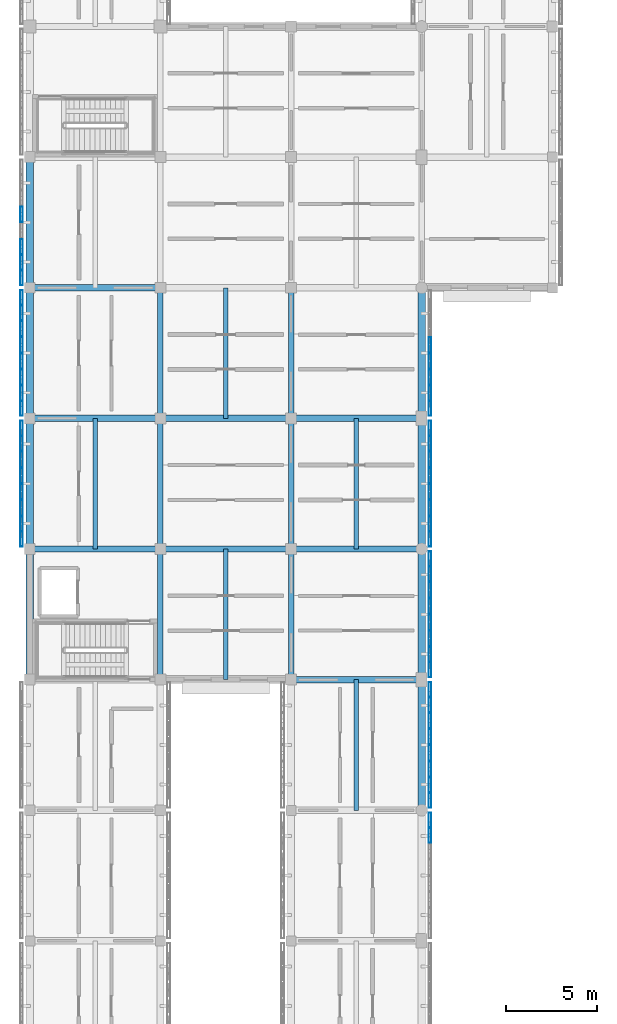
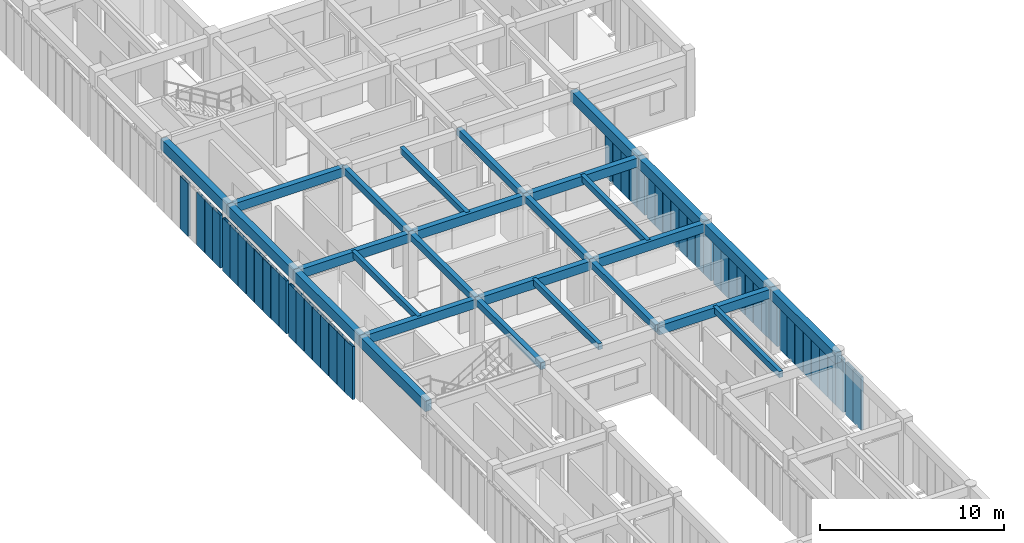
# One storey, part 9 of 171: 51 members, 27 beams, 8 elements without a shape of their own.
"""IFC4 building model written with IfcOpenShell, lengths in metres."""

import ifcopenshell
import ifcopenshell.guid

model = None  # the IFC model being written
_history = None  # IfcOwnerHistory: only IFC2X3 demands one
_inside = {}  # id of a spatial element -> (the spatial element, [elements in it])
_under = {}  # id of a project, library or spatial element -> (it, [spatial elements below it])
_declared = {}  # id of a project -> (the project, [libraries it declares])
_typed = {}  # id of a type object -> (the type object, [elements of that type])
_made_of = {}  # id of a material, layer set ... -> (it, [elements and type objects made of it])


def new_model(schema):
    """Start an empty IFC model of exactly this schema.

    Asked for "IFC4X3", IfcOpenShell would pick the latest addendum, in which some entities
    have other attributes; the version numbers below select the first issue.
    IFC2X3 requires an IfcOwnerHistory on every rooted entity: one is made here for all.
    """
    global model, _history
    if schema == "IFC4X3":
        model = ifcopenshell.file(schema_version=(4, 3, 0, 0))
    else:
        model = ifcopenshell.file(schema=schema)
    _inside.clear()
    _under.clear()
    _declared.clear()
    _typed.clear()
    _made_of.clear()
    _history = None
    if model.schema == "IFC2X3":
        org = make("IfcOrganization", Name="unknown")
        user = make(
            "IfcPersonAndOrganization",
            ThePerson=make("IfcPerson", FamilyName="unknown"),
            TheOrganization=org,
        )
        app = make(
            "IfcApplication",
            ApplicationDeveloper=org,
            Version="unknown",
            ApplicationFullName="unknown",
            ApplicationIdentifier="unknown",
        )
        _history = make(
            "IfcOwnerHistory",
            OwningUser=user,
            OwningApplication=app,
            ChangeAction="ADDED",
            CreationDate=0,
        )
    return model


def make(cls, **values):
    """One entity of the class cls with the attributes given. An attribute that is None is left unset."""
    return model.create_entity(
        cls, **{name: value for name, value in values.items() if value is not None}
    )


def rooted(cls, **values):
    """An entity with a GlobalId (a new one), such as an element, a storey or a relation."""
    return make(cls, GlobalId=ifcopenshell.guid.new(), OwnerHistory=_history, **values)


def si_unit(unit_type, name, prefix=None):
    """IfcSIUnit, for example si_unit("LENGTHUNIT", "METRE", prefix="MILLI")."""
    return make("IfcSIUnit", UnitType=unit_type, Prefix=prefix, Name=name)


def assignment(units):
    """IfcUnitAssignment: the units of a project."""
    return None if units is None else make("IfcUnitAssignment", Units=units)


def point(xyz):
    """IfcCartesianPoint."""
    return None if xyz is None else make("IfcCartesianPoint", Coordinates=xyz)


def direction(xyz):
    """IfcDirection."""
    return None if xyz is None else make("IfcDirection", DirectionRatios=xyz)


def frame(location, z_axis=None, x_axis=None):
    """IfcAxis2Placement3D, a coordinate frame: its origin and axes. An axis left out is left unset."""
    return make(
        "IfcAxis2Placement3D",
        Location=point(location),
        Axis=direction(z_axis),
        RefDirection=direction(x_axis),
    )


def frame_2d(location, x_axis=None):
    """IfcAxis2Placement2D, a coordinate frame in the plane: its origin and x axis."""
    return make(
        "IfcAxis2Placement2D", Location=point(location), RefDirection=direction(x_axis)
    )


def origin():
    """The frame at (0, 0, 0) with its axes left unset."""
    return frame((0.0, 0.0, 0.0))


def origin_2d():
    """The frame at (0, 0) in the plane with its x axis left unset."""
    return frame_2d((0.0, 0.0))


def place(relative_to, where):
    """IfcLocalPlacement: puts the frame where relative to a parent placement (None: the world)."""
    return make(
        "IfcLocalPlacement", PlacementRelTo=relative_to, RelativePlacement=where
    )


def context(
    kind, dimensions, precision=None, world=None, true_north=None, identifier=None
):
    """IfcGeometricRepresentationContext, for example the 3D "Model" context."""
    return make(
        "IfcGeometricRepresentationContext",
        ContextIdentifier=identifier,
        ContextType=kind,
        CoordinateSpaceDimension=dimensions,
        Precision=precision,
        WorldCoordinateSystem=world,
        TrueNorth=true_north,
    )


def subcontext(parent, identifier, kind, view, scale=None):
    """IfcGeometricRepresentationSubContext, for example "Body" below "Model"."""
    return make(
        "IfcGeometricRepresentationSubContext",
        ContextIdentifier=identifier,
        ContextType=kind,
        ParentContext=parent,
        TargetScale=scale,
        TargetView=view,
    )


def project(units=None, contexts=None):
    """IfcProject with its units and contexts."""
    return rooted(
        "IfcProject",
        Name="project",
        RepresentationContexts=contexts,
        UnitsInContext=assignment(units),
    )


def spatial(cls, under=None, at=None, **own):
    """A site, building, storey or space (cls), placed at a placement, below another one or the project."""
    s = rooted(cls, ObjectPlacement=at, **own)
    if under is not None:
        _under.setdefault(under.id(), (under, []))[1].append(s)
    return s


def profile(cls, at=None, kind="AREA", **sizes):
    """A parametric profile (cls). Its sizes go by their IFC names, for example OverallWidth=200.0."""
    return make(cls, ProfileType=kind, Position=at, **sizes)


def rectangle(**sizes):
    """IfcRectangleProfileDef."""
    return profile("IfcRectangleProfileDef", **sizes)


def hollow_rectangle(**sizes):
    """IfcRectangleHollowProfileDef."""
    return profile("IfcRectangleHollowProfileDef", **sizes)


def extrude(swept, where, along, depth):
    """IfcExtrudedAreaSolid: the profile swept, set in the frame where, extruded along a direction by depth."""
    return make(
        "IfcExtrudedAreaSolid",
        SweptArea=swept,
        Position=where,
        ExtrudedDirection=direction(along),
        Depth=depth,
    )


def shape(context_of_items, identifier, shape_type, items):
    """IfcShapeRepresentation: the items that make up one representation, for example the "Body"."""
    return make(
        "IfcShapeRepresentation",
        ContextOfItems=context_of_items,
        RepresentationIdentifier=identifier,
        RepresentationType=shape_type,
        Items=items,
    )


def material(Name=None, Category=None):
    """IfcMaterial."""
    return make("IfcMaterial", Name=Name, Category=Category)


def material_profile(
    of_material, cross_section, Name=None, Category=None, Priority=None
):
    """IfcMaterialProfile: a cross section and its material."""
    return make(
        "IfcMaterialProfile",
        Name=Name,
        Material=of_material,
        Profile=cross_section,
        Priority=Priority,
        Category=Category,
    )


def profile_set(profiles, Name=None, composite=None):
    """IfcMaterialProfileSet."""
    return make(
        "IfcMaterialProfileSet",
        Name=Name,
        MaterialProfiles=profiles,
        CompositeProfile=composite,
    )


def made_of(thing, what):
    """Note that an element or type object is made of a material, layer set ...; save() writes the relation."""
    if what is not None:
        _made_of.setdefault(what.id(), (what, []))[1].append(thing)
    return thing


def type_object(cls, material=None, **own):
    """A type object (cls), such as IfcWallType, which elements share."""
    return made_of(rooted(cls, **own), material)


def element(
    cls,
    number,
    at=None,
    inside=None,
    cuts=None,
    type_object=None,
    material=None,
    context=None,
    identifier="Body",
    shape_type=None,
    held_by="IfcProductDefinitionShape",
    body=None,
    shapes=None,
    **own,
):
    """One element of the class cls, such as IfcWall. Its Tag is "e" and its number.

    at: its placement. inside: the storey or other place that contains it. cuts: it is an
    opening in that element (IfcRelVoidsElement). A single representation is given by context,
    identifier, shape_type and body (its items); several are given by shapes. held_by: the class
    of the entity that holds the representations. save() writes the other relations.
    """
    e = rooted(cls, Tag="e%d" % number, ObjectPlacement=at, **own)
    if body is not None:
        shapes = [shape(context, identifier, shape_type, body)]
    if shapes is not None:
        e.Representation = make(held_by, Representations=shapes)
    if inside is not None:
        _inside.setdefault(inside.id(), (inside, []))[1].append(e)
    if cuts is not None:
        rooted(
            "IfcRelVoidsElement", RelatingBuildingElement=cuts, RelatedOpeningElement=e
        )
    if type_object is not None:
        _typed.setdefault(type_object.id(), (type_object, []))[1].append(e)
    return made_of(e, material)


def aggregate(whole, parts):
    """IfcRelAggregates: a whole, such as a stair, and the parts it consists of."""
    return rooted("IfcRelAggregates", RelatingObject=whole, RelatedObjects=parts)


def save(model, path):
    """Write the relations noted so far, then the file.

    IfcRelAggregates (storeys below a building ...), IfcRelContainedInSpatialStructure (elements
    in a storey), IfcRelDefinesByType, IfcRelAssociatesMaterial and IfcRelDeclares: one each for
    every whole, place, type object, material and project.
    """
    for whole, parts in _under.values():
        aggregate(whole, parts)
    for where, things in _inside.values():
        rooted(
            "IfcRelContainedInSpatialStructure",
            RelatedElements=things,
            RelatingStructure=where,
        )
    for kind, things in _typed.values():
        rooted("IfcRelDefinesByType", RelatedObjects=things, RelatingType=kind)
    for what, things in _made_of.values():
        rooted("IfcRelAssociatesMaterial", RelatedObjects=things, RelatingMaterial=what)
    for by, libraries in _declared.values():
        rooted("IfcRelDeclares", RelatingContext=by, RelatedDefinitions=libraries)
    model.write(path)


model = new_model("IFC4")

# Units and contexts
model_context = context("Model", 3, precision=1e-05, world=origin(), true_north=direction((0.0, 1.0)))
body_context = subcontext(model_context, "Body", "Model", "MODEL_VIEW")
ifc_project = project(units=[si_unit("LENGTHUNIT", "METRE"), si_unit("AREAUNIT", "SQUARE_METRE"), si_unit("VOLUMEUNIT", "CUBIC_METRE"), si_unit("PLANEANGLEUNIT", "RADIAN"), si_unit("MASSUNIT", "GRAM", prefix="KILO")], contexts=[model_context])

# Site, building, storey
site_placement = place(None, origin())
site = spatial("IfcSite", under=ifc_project, at=site_placement, CompositionType="ELEMENT")
building_placement = place(site_placement, origin())
building = spatial("IfcBuilding", under=site, at=building_placement, Name="Aldebral Square Health Centre", CompositionType="ELEMENT")
storey_placement = place(building_placement, frame((0.0, 0.0, 4.5)))
storey = spatial("IfcBuildingStorey", under=building, at=storey_placement, Name="L01", CompositionType="ELEMENT", Elevation=4.5)

# Beams
ifc_material_1 = material(Name="Concrete C40/50", Category="concrete")
ifc_material_profile_1 = material_profile(ifc_material_1, rectangle(XDim=0.35009765625, YDim=0.60009765625, at=origin_2d()), Name="RC 350x600")
ifc_profile_set_1 = profile_set([ifc_material_profile_1], Name="Concrete C40/50")
beam_type_1 = type_object("IfcBeamType", Name="BM-B2", PredefinedType="BEAM", material=ifc_profile_set_1)
for number, where, z_axis, x_axis, name in (
    (1, (0.0, 36.0, 3.919921875), (1.0, 0.0, 0.0), (0.0, 1.0, 0.0), "L01 X-beam 1-2/G6"),
    (2, (0.0, 43.199951171875, 3.919921875), (1.0, 0.0, 0.0), (0.0, 1.0, 0.0), "L01 X-beam 1-2/G7"),
    (3, (0.0, 50.39990234375, 3.919921875), (1.0, 0.0, 0.0), (0.0, 1.0, 0.0), "L01 X-beam 1-2/G8"),
    (4, (7.199951171875, 36.0, 3.919921875), (1.0, 0.0, 0.0), (0.0, 1.0, 0.0), "L01 X-beam 2-3/G6"),
    (5, (7.199951171875, 43.199951171875, 3.919921875), (1.0, 0.0, 0.0), (0.0, 1.0, 0.0), "L01 X-beam 2-3/G7"),
):
    element("IfcBeam", number, at=place(storey_placement, frame(where, z_axis=z_axis, x_axis=x_axis)), inside=storey, type_object=beam_type_1, Name=name, PredefinedType="BEAM", context=body_context, shape_type="SweptSolid", body=[
        extrude(rectangle(XDim=0.35009765625, YDim=0.60009765625, at=origin_2d()), origin(), (0.0, 0.0, 1.0), 7.199951171875),
    ])
for number, where, z_axis, x_axis, name in (
    (6, (14.39990234375, 28.800048828125, 3.919921875), (1.0, 0.0, 0.0), (0.0, 1.0, 0.0), "L01 X-beam 3-4/G5"),
    (7, (14.39990234375, 36.0, 3.919921875), (1.0, 0.0, 0.0), (0.0, 1.0, 0.0), "L01 X-beam 3-4/G6"),
    (8, (14.39990234375, 43.199951171875, 3.919921875), (1.0, 0.0, 0.0), (0.0, 1.0, 0.0), "L01 X-beam 3-4/G7"),
):
    element("IfcBeam", number, at=place(storey_placement, frame(where, z_axis=z_axis, x_axis=x_axis)), inside=storey, type_object=beam_type_1, Name=name, PredefinedType="BEAM", context=body_context, shape_type="SweptSolid", body=[
        extrude(rectangle(XDim=0.35009765625, YDim=0.60009765625, at=origin_2d()), origin(), (0.0, 0.0, 1.0), 7.2001953125),
    ])
ifc_material_profile_2 = material_profile(ifc_material_1, rectangle(XDim=0.300048828125, YDim=0.449951171875, at=origin_2d()), Name="RC 300x450")
ifc_profile_set_2 = profile_set([ifc_material_profile_2], Name="Concrete C40/50")
beam_type_2 = type_object("IfcBeamType", Name="BM-B5", PredefinedType="BEAM", material=ifc_profile_set_2)
for number, where, z_axis, x_axis, name in (
    (9, (7.199951171875, 28.800048828125, 3.9951171875), (0.0, 1.0, 0.0), (-1.0, 0.0, 0.0), "L01 Y-beam G2/5-6"),
    (10, (7.199951171875, 36.0, 3.9951171875), (0.0, 1.0, 0.0), (-1.0, 0.0, 0.0), "L01 Y-beam G2/6-7"),
    (11, (7.199951171875, 43.199951171875, 3.9951171875), (0.0, 1.0, 0.0), (-1.0, 0.0, 0.0), "L01 Y-beam G2/7-8"),
    (12, (14.39990234375, 28.800048828125, 3.9951171875), (0.0, 1.0, 0.0), (-1.0, 0.0, 0.0), "L01 Y-beam G3/5-6"),
    (13, (14.39990234375, 36.0, 3.9951171875), (0.0, 1.0, 0.0), (-1.0, 0.0, 0.0), "L01 Y-beam G3/6-7"),
    (14, (14.39990234375, 43.199951171875, 3.9951171875), (0.0, 1.0, 0.0), (-1.0, 0.0, 0.0), "L01 Y-beam G3/7-8"),
):
    element("IfcBeam", number, at=place(storey_placement, frame(where, z_axis=z_axis, x_axis=x_axis)), inside=storey, type_object=beam_type_2, Name=name, PredefinedType="BEAM", context=body_context, shape_type="SweptSolid", body=[
        extrude(rectangle(XDim=0.300048828125, YDim=0.449951171875, at=origin_2d()), origin(), (0.0, 0.0, 1.0), 7.199951171875),
    ])
ifc_material_profile_3 = material_profile(ifc_material_1, rectangle(XDim=0.25, YDim=0.39990234375, at=origin_2d()), Name="RC 250x400")
ifc_profile_set_3 = profile_set([ifc_material_profile_3], Name="Concrete C40/50")
beam_type_3 = type_object("IfcBeamType", Name="BM-B6", PredefinedType="JOIST", material=ifc_profile_set_3)
for number, where, z_axis, x_axis, name in (
    (15, (3.60009765625, 36.0, 4.02001953125), (0.0, 1.0, 0.0), (-1.0, 0.0, 0.0), "L01 secondary rib 1.6"),
    (16, (10.800048828125, 28.800048828125, 4.02001953125), (0.0, 1.0, 0.0), (-1.0, 0.0, 0.0), "L01 secondary rib 2.5"),
    (17, (10.800048828125, 43.199951171875, 4.02001953125), (0.0, 1.0, 0.0), (-1.0, 0.0, 0.0), "L01 secondary rib 2.7"),
    (18, (18.0, 21.60009765625, 4.02001953125), (0.0, 1.0, 0.0), (-1.0, 0.0, 0.0), "L01 secondary rib 3.4"),
    (19, (18.0, 36.0, 4.02001953125), (0.0, 1.0, 0.0), (-1.0, 0.0, 0.0), "L01 secondary rib 3.6"),
):
    element("IfcBeam", number, at=place(storey_placement, frame(where, z_axis=z_axis, x_axis=x_axis)), inside=storey, type_object=beam_type_3, Name=name, PredefinedType="JOIST", context=body_context, shape_type="SweptSolid", body=[
        extrude(rectangle(XDim=0.25, YDim=0.39990234375, at=origin_2d()), origin(), (0.0, 0.0, 1.0), 7.199951171875),
    ])
ifc_material_profile_4 = material_profile(ifc_material_1, rectangle(XDim=0.39990234375, YDim=0.699951171875, at=origin_2d()), Name="RC 400x700")
ifc_profile_set_4 = profile_set([ifc_material_profile_4], Name="Concrete C40/50")
beam_type_4 = type_object("IfcBeamType", Name="BM-G3", PredefinedType="T_BEAM", material=ifc_profile_set_4)
for number, where, z_axis, x_axis, name in (
    (20, (0.0, 28.800048828125, 3.8701171875), (0.0, 1.0, 0.0), (-1.0, 0.0, 0.0), "L01 Y-beam G1/5-6"),
    (21, (0.0, 36.0, 3.8701171875), (0.0, 1.0, 0.0), (-1.0, 0.0, 0.0), "L01 Y-beam G1/6-7"),
    (22, (0.0, 43.199951171875, 3.8701171875), (0.0, 1.0, 0.0), (-1.0, 0.0, 0.0), "L01 Y-beam G1/7-8"),
):
    element("IfcBeam", number, at=place(storey_placement, frame(where, z_axis=z_axis, x_axis=x_axis)), inside=storey, type_object=beam_type_4, Name=name, PredefinedType="T_BEAM", context=body_context, shape_type="SweptSolid", body=[
        extrude(rectangle(XDim=0.39990234375, YDim=0.699951171875, at=origin_2d()), origin(), (0.0, 0.0, 1.0), 7.199951171875),
    ])
beam_placement = place(storey_placement, frame((0.0, 50.39990234375, 3.8701171875), z_axis=(0.0, 1.0, 0.0), x_axis=(-1.0, 0.0, 0.0)))
element("IfcBeam", 23, at=beam_placement, inside=storey, type_object=beam_type_4, Name="L01 Y-beam G1/8-9", PredefinedType="T_BEAM", context=body_context, shape_type="SweptSolid", body=[
    extrude(rectangle(XDim=0.39990234375, YDim=0.699951171875, at=origin_2d()), origin(), (0.0, 0.0, 1.0), 7.2001953125),
])
for number, where, z_axis, x_axis, name in (
    (24, (21.60009765625, 21.60009765625, 3.8701171875), (0.0, 1.0, 0.0), (-1.0, 0.0, 0.0), "L01 Y-beam G4/4-5"),
    (25, (21.60009765625, 28.800048828125, 3.8701171875), (0.0, 1.0, 0.0), (-1.0, 0.0, 0.0), "L01 Y-beam G4/5-6"),
    (26, (21.60009765625, 36.0, 3.8701171875), (0.0, 1.0, 0.0), (-1.0, 0.0, 0.0), "L01 Y-beam G4/6-7"),
    (27, (21.60009765625, 43.199951171875, 3.8701171875), (0.0, 1.0, 0.0), (-1.0, 0.0, 0.0), "L01 Y-beam G4/7-8"),
):
    element("IfcBeam", number, at=place(storey_placement, frame(where, z_axis=z_axis, x_axis=x_axis)), inside=storey, type_object=beam_type_4, Name=name, PredefinedType="T_BEAM", context=body_context, shape_type="SweptSolid", body=[
        extrude(rectangle(XDim=0.39990234375, YDim=0.699951171875, at=origin_2d()), origin(), (0.0, 0.0, 1.0), 7.199951171875),
    ])

# Curtain wall, members
ifc_material_2 = material(Name="Aluminium and low-E solar glass", Category="aluminium")
curtain_wall_type = type_object("IfcCurtainWallType", Name="CW-FIN-SYS", PredefinedType="USERDEFINED", material=ifc_material_2)
curtain_wall_1_placement = place(storey_placement, origin())
curtain_wall_1 = element("IfcCurtainWall", 28, at=curtain_wall_1_placement, inside=storey, type_object=curtain_wall_type, Name="L01 V6 finned curtain wall L01-V6-00-05-W", ObjectType="SOLAR_CURTAIN_WALL", PredefinedType="USERDEFINED")
ifc_material_3 = material(Name="Sienna-terracotta clad aluminium fin", Category="masonry")
ifc_material_profile_5 = material_profile(ifc_material_3, hollow_rectangle(XDim=0.159912109375, YDim=0.85009765625, WallThickness=0.006103515625, at=origin_2d()), Name="FIN 160x850x6")
ifc_profile_set_5 = profile_set([ifc_material_profile_5], Name="Sienna-terracotta clad aluminium fin")
member_type = type_object("IfcMemberType", Name="CWM-FIN", PredefinedType="MULLION", material=ifc_profile_set_5)
member_1_placement = place(storey_placement, frame((-0.4599609375, 42.639892578125, 0.0), z_axis=(0.0, 0.0, 1.0), x_axis=(1.0, 0.0, 0.0)))
member_1 = element("IfcMember", 29, at=member_1_placement, type_object=member_type, Name="CW1 mullion 1", PredefinedType="MULLION", context=body_context, shape_type="SweptSolid", body=[
    extrude(hollow_rectangle(XDim=0.159912109375, YDim=0.85009765625, WallThickness=0.006103515625, at=origin_2d()), origin(), (0.0, 0.0, 1.0), 3.52001953125),
])
member_2_placement = place(storey_placement, frame((-0.4599609375, 41.82861328125, 0.0), z_axis=(0.0, 0.0, 1.0), x_axis=(1.0, 0.0, 0.0)))
member_2 = element("IfcMember", 30, at=member_2_placement, type_object=member_type, Name="CW1 mullion 2", PredefinedType="MULLION", context=body_context, shape_type="SweptSolid", body=[
    extrude(hollow_rectangle(XDim=0.159912109375, YDim=0.85009765625, WallThickness=0.006103515625, at=origin_2d()), origin(), (0.0, 0.0, 1.0), 3.52001953125),
])
member_3_placement = place(storey_placement, frame((-0.4599609375, 40.937255859375, 0.0), z_axis=(0.0, 0.0, 1.0), x_axis=(1.0, 0.0, 0.0)))
member_3 = element("IfcMember", 31, at=member_3_placement, type_object=member_type, Name="CW1 mullion 3", PredefinedType="MULLION", context=body_context, shape_type="SweptSolid", body=[
    extrude(hollow_rectangle(XDim=0.159912109375, YDim=0.85009765625, WallThickness=0.006103515625, at=origin_2d()), origin(), (0.0, 0.0, 1.0), 3.52001953125),
])
member_4_placement = place(storey_placement, frame((-0.4599609375, 40.045654296875, 0.0), z_axis=(0.0, 0.0, 1.0), x_axis=(1.0, 0.0, 0.0)))
member_4 = element("IfcMember", 32, at=member_4_placement, type_object=member_type, Name="CW1 mullion 4", PredefinedType="MULLION", context=body_context, shape_type="SweptSolid", body=[
    extrude(hollow_rectangle(XDim=0.159912109375, YDim=0.85009765625, WallThickness=0.006103515625, at=origin_2d()), origin(), (0.0, 0.0, 1.0), 3.52001953125),
])
member_5_placement = place(storey_placement, frame((-0.4599609375, 39.154296875, 0.0), z_axis=(0.0, 0.0, 1.0), x_axis=(1.0, 0.0, 0.0)))
member_5 = element("IfcMember", 33, at=member_5_placement, type_object=member_type, Name="CW1 mullion 5", PredefinedType="MULLION", context=body_context, shape_type="SweptSolid", body=[
    extrude(hollow_rectangle(XDim=0.159912109375, YDim=0.85009765625, WallThickness=0.006103515625, at=origin_2d()), origin(), (0.0, 0.0, 1.0), 3.52001953125),
])
member_6_placement = place(storey_placement, frame((-0.4599609375, 38.262939453125, 0.0), z_axis=(0.0, 0.0, 1.0), x_axis=(1.0, 0.0, 0.0)))
member_6 = element("IfcMember", 34, at=member_6_placement, type_object=member_type, Name="CW1 mullion 6", PredefinedType="MULLION", context=body_context, shape_type="SweptSolid", body=[
    extrude(hollow_rectangle(XDim=0.159912109375, YDim=0.85009765625, WallThickness=0.006103515625, at=origin_2d()), origin(), (0.0, 0.0, 1.0), 3.52001953125),
])
member_7_placement = place(storey_placement, frame((-0.4599609375, 37.371337890625, 0.0), z_axis=(0.0, 0.0, 1.0), x_axis=(1.0, 0.0, 0.0)))
member_7 = element("IfcMember", 35, at=member_7_placement, type_object=member_type, Name="CW1 mullion 7", PredefinedType="MULLION", context=body_context, shape_type="SweptSolid", body=[
    extrude(hollow_rectangle(XDim=0.159912109375, YDim=0.85009765625, WallThickness=0.006103515625, at=origin_2d()), origin(), (0.0, 0.0, 1.0), 3.52001953125),
])
member_8_placement = place(storey_placement, frame((-0.4599609375, 36.56005859375, 0.0), z_axis=(0.0, 0.0, 1.0), x_axis=(1.0, 0.0, 0.0)))
member_8 = element("IfcMember", 36, at=member_8_placement, type_object=member_type, Name="CW1 mullion 8", PredefinedType="MULLION", context=body_context, shape_type="SweptSolid", body=[
    extrude(hollow_rectangle(XDim=0.159912109375, YDim=0.85009765625, WallThickness=0.006103515625, at=origin_2d()), origin(), (0.0, 0.0, 1.0), 3.52001953125),
])
aggregate(curtain_wall_1, [member_1, member_2, member_3, member_4, member_5, member_6, member_7, member_8])

curtain_wall_2_placement = place(storey_placement, origin())
curtain_wall_2 = element("IfcCurtainWall", 37, at=curtain_wall_2_placement, inside=storey, type_object=curtain_wall_type, Name="L01 V6 finned curtain wall L01-V6-00-06-W", ObjectType="SOLAR_CURTAIN_WALL", PredefinedType="USERDEFINED")
member_9_placement = place(storey_placement, frame((-0.4599609375, 49.840087890625, 0.0), z_axis=(0.0, 0.0, 1.0), x_axis=(1.0, 0.0, 0.0)))
member_9 = element("IfcMember", 38, at=member_9_placement, type_object=member_type, Name="CW1 mullion 1", PredefinedType="MULLION", context=body_context, shape_type="SweptSolid", body=[
    extrude(hollow_rectangle(XDim=0.159912109375, YDim=0.85009765625, WallThickness=0.006103515625, at=origin_2d()), origin(), (0.0, 0.0, 1.0), 3.52001953125),
])
member_10_placement = place(storey_placement, frame((-0.4599609375, 49.028564453125, 0.0), z_axis=(0.0, 0.0, 1.0), x_axis=(1.0, 0.0, 0.0)))
member_10 = element("IfcMember", 39, at=member_10_placement, type_object=member_type, Name="CW1 mullion 2", PredefinedType="MULLION", context=body_context, shape_type="SweptSolid", body=[
    extrude(hollow_rectangle(XDim=0.159912109375, YDim=0.85009765625, WallThickness=0.006103515625, at=origin_2d()), origin(), (0.0, 0.0, 1.0), 3.52001953125),
])
member_11_placement = place(storey_placement, frame((-0.4599609375, 48.13720703125, 0.0), z_axis=(0.0, 0.0, 1.0), x_axis=(1.0, 0.0, 0.0)))
member_11 = element("IfcMember", 40, at=member_11_placement, type_object=member_type, Name="CW1 mullion 3", PredefinedType="MULLION", context=body_context, shape_type="SweptSolid", body=[
    extrude(hollow_rectangle(XDim=0.159912109375, YDim=0.85009765625, WallThickness=0.006103515625, at=origin_2d()), origin(), (0.0, 0.0, 1.0), 3.52001953125),
])
member_12_placement = place(storey_placement, frame((-0.4599609375, 47.24560546875, 0.0), z_axis=(0.0, 0.0, 1.0), x_axis=(1.0, 0.0, 0.0)))
member_12 = element("IfcMember", 41, at=member_12_placement, type_object=member_type, Name="CW1 mullion 4", PredefinedType="MULLION", context=body_context, shape_type="SweptSolid", body=[
    extrude(hollow_rectangle(XDim=0.159912109375, YDim=0.85009765625, WallThickness=0.006103515625, at=origin_2d()), origin(), (0.0, 0.0, 1.0), 3.52001953125),
])
member_13_placement = place(storey_placement, frame((-0.4599609375, 46.354248046875, 0.0), z_axis=(0.0, 0.0, 1.0), x_axis=(1.0, 0.0, 0.0)))
member_13 = element("IfcMember", 42, at=member_13_placement, type_object=member_type, Name="CW1 mullion 5", PredefinedType="MULLION", context=body_context, shape_type="SweptSolid", body=[
    extrude(hollow_rectangle(XDim=0.159912109375, YDim=0.85009765625, WallThickness=0.006103515625, at=origin_2d()), origin(), (0.0, 0.0, 1.0), 3.52001953125),
])
member_14_placement = place(storey_placement, frame((-0.4599609375, 45.462890625, 0.0), z_axis=(0.0, 0.0, 1.0), x_axis=(1.0, 0.0, 0.0)))
member_14 = element("IfcMember", 43, at=member_14_placement, type_object=member_type, Name="CW1 mullion 6", PredefinedType="MULLION", context=body_context, shape_type="SweptSolid", body=[
    extrude(hollow_rectangle(XDim=0.159912109375, YDim=0.85009765625, WallThickness=0.006103515625, at=origin_2d()), origin(), (0.0, 0.0, 1.0), 3.52001953125),
])
member_15_placement = place(storey_placement, frame((-0.4599609375, 44.571533203125, 0.0), z_axis=(0.0, 0.0, 1.0), x_axis=(1.0, 0.0, 0.0)))
member_15 = element("IfcMember", 44, at=member_15_placement, type_object=member_type, Name="CW1 mullion 7", PredefinedType="MULLION", context=body_context, shape_type="SweptSolid", body=[
    extrude(hollow_rectangle(XDim=0.159912109375, YDim=0.85009765625, WallThickness=0.006103515625, at=origin_2d()), origin(), (0.0, 0.0, 1.0), 3.52001953125),
])
member_16_placement = place(storey_placement, frame((-0.4599609375, 43.760009765625, 0.0), z_axis=(0.0, 0.0, 1.0), x_axis=(1.0, 0.0, 0.0)))
member_16 = element("IfcMember", 45, at=member_16_placement, type_object=member_type, Name="CW1 mullion 8", PredefinedType="MULLION", context=body_context, shape_type="SweptSolid", body=[
    extrude(hollow_rectangle(XDim=0.159912109375, YDim=0.85009765625, WallThickness=0.006103515625, at=origin_2d()), origin(), (0.0, 0.0, 1.0), 3.52001953125),
])
aggregate(curtain_wall_2, [member_9, member_10, member_11, member_12, member_13, member_14, member_15, member_16])

curtain_wall_3_placement = place(storey_placement, origin())
curtain_wall_3 = element("IfcCurtainWall", 46, at=curtain_wall_3_placement, inside=storey, type_object=curtain_wall_type, Name="L01 V4 finned curtain wall L01-V4-00-07-W", ObjectType="SOLAR_CURTAIN_WALL", PredefinedType="USERDEFINED")
member_17_placement = place(storey_placement, frame((-0.4599609375, 54.44580078125, 0.0), z_axis=(0.0, 0.0, 1.0), x_axis=(1.0, 0.0, 0.0)))
member_17 = element("IfcMember", 47, at=member_17_placement, type_object=member_type, Name="CW1 mullion 4", PredefinedType="MULLION", context=body_context, shape_type="SweptSolid", body=[
    extrude(hollow_rectangle(XDim=0.159912109375, YDim=0.85009765625, WallThickness=0.006103515625, at=origin_2d()), origin(), (0.0, 0.0, 1.0), 3.52001953125),
])
member_18_placement = place(storey_placement, frame((-0.4599609375, 52.662841796875, 0.0), z_axis=(0.0, 0.0, 1.0), x_axis=(1.0, 0.0, 0.0)))
member_18 = element("IfcMember", 48, at=member_18_placement, type_object=member_type, Name="CW1 mullion 6", PredefinedType="MULLION", context=body_context, shape_type="SweptSolid", body=[
    extrude(hollow_rectangle(XDim=0.159912109375, YDim=0.85009765625, WallThickness=0.006103515625, at=origin_2d()), origin(), (0.0, 0.0, 1.0), 3.52001953125),
])
member_19_placement = place(storey_placement, frame((-0.4599609375, 51.771484375, 0.0), z_axis=(0.0, 0.0, 1.0), x_axis=(1.0, 0.0, 0.0)))
member_19 = element("IfcMember", 49, at=member_19_placement, type_object=member_type, Name="CW1 mullion 7", PredefinedType="MULLION", context=body_context, shape_type="SweptSolid", body=[
    extrude(hollow_rectangle(XDim=0.159912109375, YDim=0.85009765625, WallThickness=0.006103515625, at=origin_2d()), origin(), (0.0, 0.0, 1.0), 3.52001953125),
])
member_20_placement = place(storey_placement, frame((-0.4599609375, 50.9599609375, 0.0), z_axis=(0.0, 0.0, 1.0), x_axis=(1.0, 0.0, 0.0)))
member_20 = element("IfcMember", 50, at=member_20_placement, type_object=member_type, Name="CW1 mullion 8", PredefinedType="MULLION", context=body_context, shape_type="SweptSolid", body=[
    extrude(hollow_rectangle(XDim=0.159912109375, YDim=0.85009765625, WallThickness=0.006103515625, at=origin_2d()), origin(), (0.0, 0.0, 1.0), 3.52001953125),
])
aggregate(curtain_wall_3, [member_17, member_18, member_19, member_20])

curtain_wall_4_placement = place(storey_placement, origin())
curtain_wall_4 = element("IfcCurtainWall", 51, at=curtain_wall_4_placement, inside=storey, type_object=curtain_wall_type, Name="L01 V6 finned curtain wall L01-V6-02-02-E", ObjectType="SOLAR_CURTAIN_WALL", PredefinedType="USERDEFINED")
member_21_placement = place(storey_placement, frame((22.06005859375, 20.228515625, 0.0), z_axis=(0.0, 0.0, 1.0), x_axis=(-1.0, 0.0, 0.0)))
member_21 = element("IfcMember", 52, at=member_21_placement, type_object=member_type, Name="CW1 mullion 7", PredefinedType="MULLION", context=body_context, shape_type="SweptSolid", body=[
    extrude(hollow_rectangle(XDim=0.159912109375, YDim=0.85009765625, WallThickness=0.006103515625, at=origin_2d()), origin(), (0.0, 0.0, 1.0), 3.52001953125),
])
member_22_placement = place(storey_placement, frame((22.06005859375, 21.0400390625, 0.0), z_axis=(0.0, 0.0, 1.0), x_axis=(-1.0, 0.0, 0.0)))
member_22 = element("IfcMember", 53, at=member_22_placement, type_object=member_type, Name="CW1 mullion 8", PredefinedType="MULLION", context=body_context, shape_type="SweptSolid", body=[
    extrude(hollow_rectangle(XDim=0.159912109375, YDim=0.85009765625, WallThickness=0.006103515625, at=origin_2d()), origin(), (0.0, 0.0, 1.0), 3.52001953125),
])
aggregate(curtain_wall_4, [member_21, member_22])

curtain_wall_5_placement = place(storey_placement, origin())
curtain_wall_5 = element("IfcCurtainWall", 54, at=curtain_wall_5_placement, inside=storey, type_object=curtain_wall_type, Name="L01 V6 finned curtain wall L01-V6-02-03-E", ObjectType="SOLAR_CURTAIN_WALL", PredefinedType="USERDEFINED")
member_23_placement = place(storey_placement, frame((22.06005859375, 22.159912109375, 0.0), z_axis=(0.0, 0.0, 1.0), x_axis=(-1.0, 0.0, 0.0)))
member_23 = element("IfcMember", 55, at=member_23_placement, type_object=member_type, Name="CW1 mullion 1", PredefinedType="MULLION", context=body_context, shape_type="SweptSolid", body=[
    extrude(hollow_rectangle(XDim=0.159912109375, YDim=0.85009765625, WallThickness=0.006103515625, at=origin_2d()), origin(), (0.0, 0.0, 1.0), 3.52001953125),
])
member_24_placement = place(storey_placement, frame((22.06005859375, 22.971435546875, 0.0), z_axis=(0.0, 0.0, 1.0), x_axis=(-1.0, 0.0, 0.0)))
member_24 = element("IfcMember", 56, at=member_24_placement, type_object=member_type, Name="CW1 mullion 2", PredefinedType="MULLION", context=body_context, shape_type="SweptSolid", body=[
    extrude(hollow_rectangle(XDim=0.159912109375, YDim=0.85009765625, WallThickness=0.006103515625, at=origin_2d()), origin(), (0.0, 0.0, 1.0), 3.52001953125),
])
member_25_placement = place(storey_placement, frame((22.06005859375, 23.86279296875, 0.0), z_axis=(0.0, 0.0, 1.0), x_axis=(-1.0, 0.0, 0.0)))
member_25 = element("IfcMember", 57, at=member_25_placement, type_object=member_type, Name="CW1 mullion 3", PredefinedType="MULLION", context=body_context, shape_type="SweptSolid", body=[
    extrude(hollow_rectangle(XDim=0.159912109375, YDim=0.85009765625, WallThickness=0.006103515625, at=origin_2d()), origin(), (0.0, 0.0, 1.0), 3.52001953125),
])
member_26_placement = place(storey_placement, frame((22.06005859375, 24.75439453125, 0.0), z_axis=(0.0, 0.0, 1.0), x_axis=(-1.0, 0.0, 0.0)))
member_26 = element("IfcMember", 58, at=member_26_placement, type_object=member_type, Name="CW1 mullion 4", PredefinedType="MULLION", context=body_context, shape_type="SweptSolid", body=[
    extrude(hollow_rectangle(XDim=0.159912109375, YDim=0.85009765625, WallThickness=0.006103515625, at=origin_2d()), origin(), (0.0, 0.0, 1.0), 3.52001953125),
])
member_27_placement = place(storey_placement, frame((22.06005859375, 25.645751953125, 0.0), z_axis=(0.0, 0.0, 1.0), x_axis=(-1.0, 0.0, 0.0)))
member_27 = element("IfcMember", 59, at=member_27_placement, type_object=member_type, Name="CW1 mullion 5", PredefinedType="MULLION", context=body_context, shape_type="SweptSolid", body=[
    extrude(hollow_rectangle(XDim=0.159912109375, YDim=0.85009765625, WallThickness=0.006103515625, at=origin_2d()), origin(), (0.0, 0.0, 1.0), 3.52001953125),
])
member_28_placement = place(storey_placement, frame((22.06005859375, 26.537109375, 0.0), z_axis=(0.0, 0.0, 1.0), x_axis=(-1.0, 0.0, 0.0)))
member_28 = element("IfcMember", 60, at=member_28_placement, type_object=member_type, Name="CW1 mullion 6", PredefinedType="MULLION", context=body_context, shape_type="SweptSolid", body=[
    extrude(hollow_rectangle(XDim=0.159912109375, YDim=0.85009765625, WallThickness=0.006103515625, at=origin_2d()), origin(), (0.0, 0.0, 1.0), 3.52001953125),
])
member_29_placement = place(storey_placement, frame((22.06005859375, 27.428466796875, 0.0), z_axis=(0.0, 0.0, 1.0), x_axis=(-1.0, 0.0, 0.0)))
member_29 = element("IfcMember", 61, at=member_29_placement, type_object=member_type, Name="CW1 mullion 7", PredefinedType="MULLION", context=body_context, shape_type="SweptSolid", body=[
    extrude(hollow_rectangle(XDim=0.159912109375, YDim=0.85009765625, WallThickness=0.006103515625, at=origin_2d()), origin(), (0.0, 0.0, 1.0), 3.52001953125),
])
member_30_placement = place(storey_placement, frame((22.06005859375, 28.239990234375, 0.0), z_axis=(0.0, 0.0, 1.0), x_axis=(-1.0, 0.0, 0.0)))
member_30 = element("IfcMember", 62, at=member_30_placement, type_object=member_type, Name="CW1 mullion 8", PredefinedType="MULLION", context=body_context, shape_type="SweptSolid", body=[
    extrude(hollow_rectangle(XDim=0.159912109375, YDim=0.85009765625, WallThickness=0.006103515625, at=origin_2d()), origin(), (0.0, 0.0, 1.0), 3.52001953125),
])
aggregate(curtain_wall_5, [member_23, member_24, member_25, member_26, member_27, member_28, member_29, member_30])

curtain_wall_6_placement = place(storey_placement, origin())
curtain_wall_6 = element("IfcCurtainWall", 63, at=curtain_wall_6_placement, inside=storey, type_object=curtain_wall_type, Name="L01 V6 finned curtain wall L01-V6-02-04-E", ObjectType="SOLAR_CURTAIN_WALL", PredefinedType="USERDEFINED")
member_31_placement = place(storey_placement, frame((22.06005859375, 29.360107421875, 0.0), z_axis=(0.0, 0.0, 1.0), x_axis=(-1.0, 0.0, 0.0)))
member_31 = element("IfcMember", 64, at=member_31_placement, type_object=member_type, Name="CW1 mullion 1", PredefinedType="MULLION", context=body_context, shape_type="SweptSolid", body=[
    extrude(hollow_rectangle(XDim=0.159912109375, YDim=0.85009765625, WallThickness=0.006103515625, at=origin_2d()), origin(), (0.0, 0.0, 1.0), 3.52001953125),
])
member_32_placement = place(storey_placement, frame((22.06005859375, 30.17138671875, 0.0), z_axis=(0.0, 0.0, 1.0), x_axis=(-1.0, 0.0, 0.0)))
member_32 = element("IfcMember", 65, at=member_32_placement, type_object=member_type, Name="CW1 mullion 2", PredefinedType="MULLION", context=body_context, shape_type="SweptSolid", body=[
    extrude(hollow_rectangle(XDim=0.159912109375, YDim=0.85009765625, WallThickness=0.006103515625, at=origin_2d()), origin(), (0.0, 0.0, 1.0), 3.52001953125),
])
member_33_placement = place(storey_placement, frame((22.06005859375, 31.062744140625, 0.0), z_axis=(0.0, 0.0, 1.0), x_axis=(-1.0, 0.0, 0.0)))
member_33 = element("IfcMember", 66, at=member_33_placement, type_object=member_type, Name="CW1 mullion 3", PredefinedType="MULLION", context=body_context, shape_type="SweptSolid", body=[
    extrude(hollow_rectangle(XDim=0.159912109375, YDim=0.85009765625, WallThickness=0.006103515625, at=origin_2d()), origin(), (0.0, 0.0, 1.0), 3.52001953125),
])
member_34_placement = place(storey_placement, frame((22.06005859375, 31.954345703125, 0.0), z_axis=(0.0, 0.0, 1.0), x_axis=(-1.0, 0.0, 0.0)))
member_34 = element("IfcMember", 67, at=member_34_placement, type_object=member_type, Name="CW1 mullion 4", PredefinedType="MULLION", context=body_context, shape_type="SweptSolid", body=[
    extrude(hollow_rectangle(XDim=0.159912109375, YDim=0.85009765625, WallThickness=0.006103515625, at=origin_2d()), origin(), (0.0, 0.0, 1.0), 3.52001953125),
])
member_35_placement = place(storey_placement, frame((22.06005859375, 32.845703125, 0.0), z_axis=(0.0, 0.0, 1.0), x_axis=(-1.0, 0.0, 0.0)))
member_35 = element("IfcMember", 68, at=member_35_placement, type_object=member_type, Name="CW1 mullion 5", PredefinedType="MULLION", context=body_context, shape_type="SweptSolid", body=[
    extrude(hollow_rectangle(XDim=0.159912109375, YDim=0.85009765625, WallThickness=0.006103515625, at=origin_2d()), origin(), (0.0, 0.0, 1.0), 3.52001953125),
])
member_36_placement = place(storey_placement, frame((22.06005859375, 33.737060546875, 0.0), z_axis=(0.0, 0.0, 1.0), x_axis=(-1.0, 0.0, 0.0)))
member_36 = element("IfcMember", 69, at=member_36_placement, type_object=member_type, Name="CW1 mullion 6", PredefinedType="MULLION", context=body_context, shape_type="SweptSolid", body=[
    extrude(hollow_rectangle(XDim=0.159912109375, YDim=0.85009765625, WallThickness=0.006103515625, at=origin_2d()), origin(), (0.0, 0.0, 1.0), 3.52001953125),
])
member_37_placement = place(storey_placement, frame((22.06005859375, 34.628662109375, 0.0), z_axis=(0.0, 0.0, 1.0), x_axis=(-1.0, 0.0, 0.0)))
member_37 = element("IfcMember", 70, at=member_37_placement, type_object=member_type, Name="CW1 mullion 7", PredefinedType="MULLION", context=body_context, shape_type="SweptSolid", body=[
    extrude(hollow_rectangle(XDim=0.159912109375, YDim=0.85009765625, WallThickness=0.006103515625, at=origin_2d()), origin(), (0.0, 0.0, 1.0), 3.52001953125),
])
member_38_placement = place(storey_placement, frame((22.06005859375, 35.43994140625, 0.0), z_axis=(0.0, 0.0, 1.0), x_axis=(-1.0, 0.0, 0.0)))
member_38 = element("IfcMember", 71, at=member_38_placement, type_object=member_type, Name="CW1 mullion 8", PredefinedType="MULLION", context=body_context, shape_type="SweptSolid", body=[
    extrude(hollow_rectangle(XDim=0.159912109375, YDim=0.85009765625, WallThickness=0.006103515625, at=origin_2d()), origin(), (0.0, 0.0, 1.0), 3.52001953125),
])
aggregate(curtain_wall_6, [member_31, member_32, member_33, member_34, member_35, member_36, member_37, member_38])

curtain_wall_7_placement = place(storey_placement, origin())
curtain_wall_7 = element("IfcCurtainWall", 72, at=curtain_wall_7_placement, inside=storey, type_object=curtain_wall_type, Name="L01 V6 finned curtain wall L01-V6-02-05-E", ObjectType="SOLAR_CURTAIN_WALL", PredefinedType="USERDEFINED")
member_39_placement = place(storey_placement, frame((22.06005859375, 36.56005859375, 0.0), z_axis=(0.0, 0.0, 1.0), x_axis=(-1.0, 0.0, 0.0)))
member_39 = element("IfcMember", 73, at=member_39_placement, type_object=member_type, Name="CW1 mullion 1", PredefinedType="MULLION", context=body_context, shape_type="SweptSolid", body=[
    extrude(hollow_rectangle(XDim=0.159912109375, YDim=0.85009765625, WallThickness=0.006103515625, at=origin_2d()), origin(), (0.0, 0.0, 1.0), 3.52001953125),
])
member_40_placement = place(storey_placement, frame((22.06005859375, 37.371337890625, 0.0), z_axis=(0.0, 0.0, 1.0), x_axis=(-1.0, 0.0, 0.0)))
member_40 = element("IfcMember", 74, at=member_40_placement, type_object=member_type, Name="CW1 mullion 2", PredefinedType="MULLION", context=body_context, shape_type="SweptSolid", body=[
    extrude(hollow_rectangle(XDim=0.159912109375, YDim=0.85009765625, WallThickness=0.006103515625, at=origin_2d()), origin(), (0.0, 0.0, 1.0), 3.52001953125),
])
member_41_placement = place(storey_placement, frame((22.06005859375, 38.262939453125, 0.0), z_axis=(0.0, 0.0, 1.0), x_axis=(-1.0, 0.0, 0.0)))
member_41 = element("IfcMember", 75, at=member_41_placement, type_object=member_type, Name="CW1 mullion 3", PredefinedType="MULLION", context=body_context, shape_type="SweptSolid", body=[
    extrude(hollow_rectangle(XDim=0.159912109375, YDim=0.85009765625, WallThickness=0.006103515625, at=origin_2d()), origin(), (0.0, 0.0, 1.0), 3.52001953125),
])
member_42_placement = place(storey_placement, frame((22.06005859375, 39.154296875, 0.0), z_axis=(0.0, 0.0, 1.0), x_axis=(-1.0, 0.0, 0.0)))
member_42 = element("IfcMember", 76, at=member_42_placement, type_object=member_type, Name="CW1 mullion 4", PredefinedType="MULLION", context=body_context, shape_type="SweptSolid", body=[
    extrude(hollow_rectangle(XDim=0.159912109375, YDim=0.85009765625, WallThickness=0.006103515625, at=origin_2d()), origin(), (0.0, 0.0, 1.0), 3.52001953125),
])
member_43_placement = place(storey_placement, frame((22.06005859375, 40.045654296875, 0.0), z_axis=(0.0, 0.0, 1.0), x_axis=(-1.0, 0.0, 0.0)))
member_43 = element("IfcMember", 77, at=member_43_placement, type_object=member_type, Name="CW1 mullion 5", PredefinedType="MULLION", context=body_context, shape_type="SweptSolid", body=[
    extrude(hollow_rectangle(XDim=0.159912109375, YDim=0.85009765625, WallThickness=0.006103515625, at=origin_2d()), origin(), (0.0, 0.0, 1.0), 3.52001953125),
])
member_44_placement = place(storey_placement, frame((22.06005859375, 40.937255859375, 0.0), z_axis=(0.0, 0.0, 1.0), x_axis=(-1.0, 0.0, 0.0)))
member_44 = element("IfcMember", 78, at=member_44_placement, type_object=member_type, Name="CW1 mullion 6", PredefinedType="MULLION", context=body_context, shape_type="SweptSolid", body=[
    extrude(hollow_rectangle(XDim=0.159912109375, YDim=0.85009765625, WallThickness=0.006103515625, at=origin_2d()), origin(), (0.0, 0.0, 1.0), 3.52001953125),
])
member_45_placement = place(storey_placement, frame((22.06005859375, 41.82861328125, 0.0), z_axis=(0.0, 0.0, 1.0), x_axis=(-1.0, 0.0, 0.0)))
member_45 = element("IfcMember", 79, at=member_45_placement, type_object=member_type, Name="CW1 mullion 7", PredefinedType="MULLION", context=body_context, shape_type="SweptSolid", body=[
    extrude(hollow_rectangle(XDim=0.159912109375, YDim=0.85009765625, WallThickness=0.006103515625, at=origin_2d()), origin(), (0.0, 0.0, 1.0), 3.52001953125),
])
member_46_placement = place(storey_placement, frame((22.06005859375, 42.639892578125, 0.0), z_axis=(0.0, 0.0, 1.0), x_axis=(-1.0, 0.0, 0.0)))
member_46 = element("IfcMember", 80, at=member_46_placement, type_object=member_type, Name="CW1 mullion 8", PredefinedType="MULLION", context=body_context, shape_type="SweptSolid", body=[
    extrude(hollow_rectangle(XDim=0.159912109375, YDim=0.85009765625, WallThickness=0.006103515625, at=origin_2d()), origin(), (0.0, 0.0, 1.0), 3.52001953125),
])
aggregate(curtain_wall_7, [member_39, member_40, member_41, member_42, member_43, member_44, member_45, member_46])

curtain_wall_8_placement = place(storey_placement, origin())
curtain_wall_8 = element("IfcCurtainWall", 81, at=curtain_wall_8_placement, inside=storey, type_object=curtain_wall_type, Name="L01 V6 finned curtain wall L01-V6-02-06-E", ObjectType="SOLAR_CURTAIN_WALL", PredefinedType="USERDEFINED")
member_47_placement = place(storey_placement, frame((22.06005859375, 43.760009765625, 0.0), z_axis=(0.0, 0.0, 1.0), x_axis=(-1.0, 0.0, 0.0)))
member_47 = element("IfcMember", 82, at=member_47_placement, type_object=member_type, Name="CW1 mullion 1", PredefinedType="MULLION", context=body_context, shape_type="SweptSolid", body=[
    extrude(hollow_rectangle(XDim=0.159912109375, YDim=0.85009765625, WallThickness=0.006103515625, at=origin_2d()), origin(), (0.0, 0.0, 1.0), 3.52001953125),
])
member_48_placement = place(storey_placement, frame((22.06005859375, 44.571533203125, 0.0), z_axis=(0.0, 0.0, 1.0), x_axis=(-1.0, 0.0, 0.0)))
member_48 = element("IfcMember", 83, at=member_48_placement, type_object=member_type, Name="CW1 mullion 2", PredefinedType="MULLION", context=body_context, shape_type="SweptSolid", body=[
    extrude(hollow_rectangle(XDim=0.159912109375, YDim=0.85009765625, WallThickness=0.006103515625, at=origin_2d()), origin(), (0.0, 0.0, 1.0), 3.52001953125),
])
member_49_placement = place(storey_placement, frame((22.06005859375, 45.462890625, 0.0), z_axis=(0.0, 0.0, 1.0), x_axis=(-1.0, 0.0, 0.0)))
member_49 = element("IfcMember", 84, at=member_49_placement, type_object=member_type, Name="CW1 mullion 3", PredefinedType="MULLION", context=body_context, shape_type="SweptSolid", body=[
    extrude(hollow_rectangle(XDim=0.159912109375, YDim=0.85009765625, WallThickness=0.006103515625, at=origin_2d()), origin(), (0.0, 0.0, 1.0), 3.52001953125),
])
member_50_placement = place(storey_placement, frame((22.06005859375, 46.354248046875, 0.0), z_axis=(0.0, 0.0, 1.0), x_axis=(-1.0, 0.0, 0.0)))
member_50 = element("IfcMember", 85, at=member_50_placement, type_object=member_type, Name="CW1 mullion 4", PredefinedType="MULLION", context=body_context, shape_type="SweptSolid", body=[
    extrude(hollow_rectangle(XDim=0.159912109375, YDim=0.85009765625, WallThickness=0.006103515625, at=origin_2d()), origin(), (0.0, 0.0, 1.0), 3.52001953125),
])
member_51_placement = place(storey_placement, frame((22.06005859375, 47.24560546875, 0.0), z_axis=(0.0, 0.0, 1.0), x_axis=(-1.0, 0.0, 0.0)))
member_51 = element("IfcMember", 86, at=member_51_placement, type_object=member_type, Name="CW1 mullion 5", PredefinedType="MULLION", context=body_context, shape_type="SweptSolid", body=[
    extrude(hollow_rectangle(XDim=0.159912109375, YDim=0.85009765625, WallThickness=0.006103515625, at=origin_2d()), origin(), (0.0, 0.0, 1.0), 3.52001953125),
])
aggregate(curtain_wall_8, [member_47, member_48, member_49, member_50, member_51])

save(model, "model.ifc")
